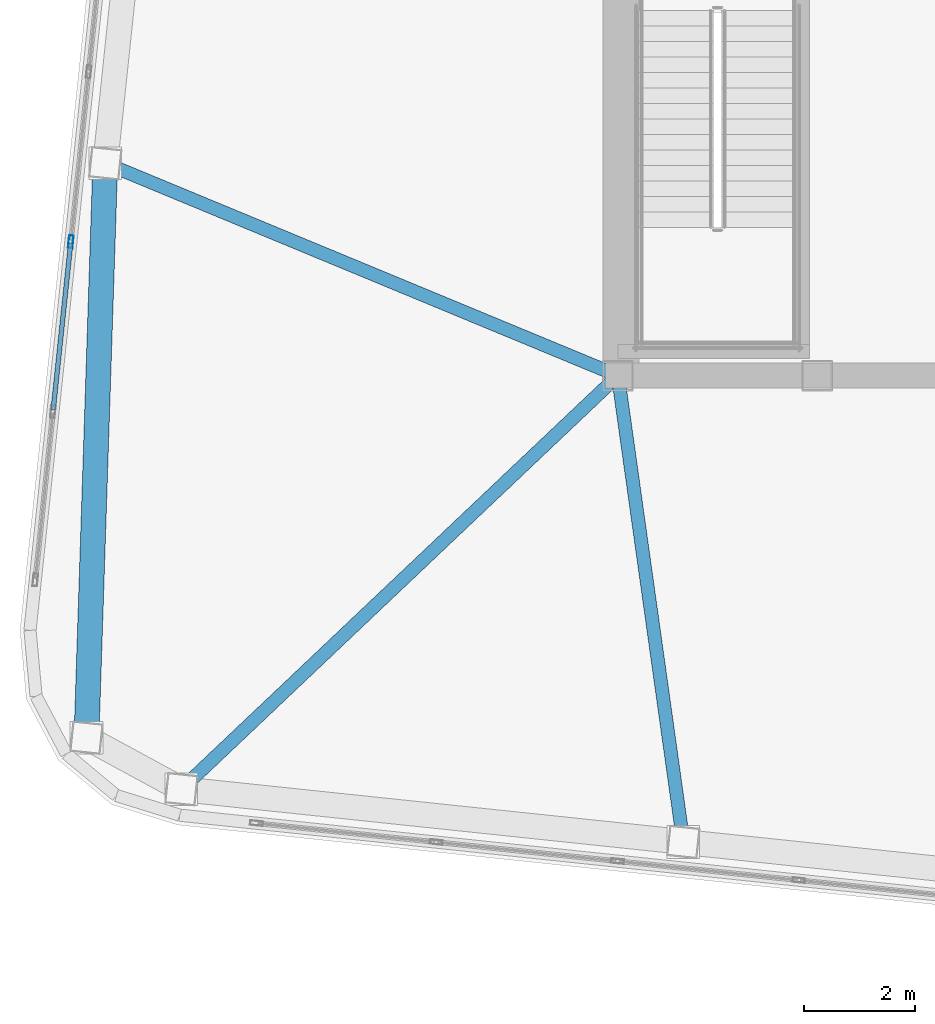
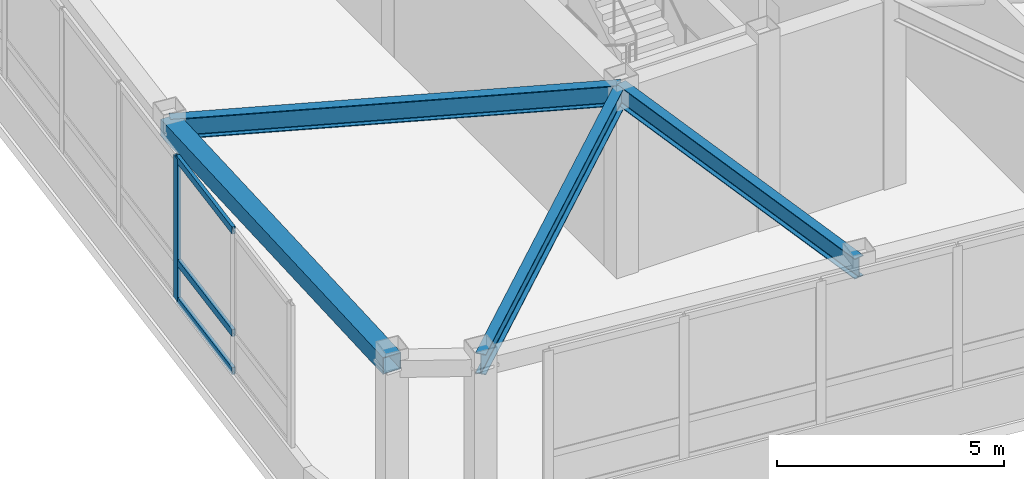
# One storey, part 3 of 23: 4 beams, 4 members, 1 element without a shape of its own.
"""IFC4 building model written with IfcOpenShell, lengths in metres."""

from ifc_helpers import new_model, si_unit, direction, frame, origin, origin_2d, place, context, subcontext, project, spatial, hollow_rectangle, i_section, extrude, material, layer, layer_set, material_profile, profile_set, type_object, element, aggregate, save


model = new_model("IFC4")

# Units and contexts
model_context = context("Model", 3, precision=1e-05, world=origin(), true_north=direction((0.0, 1.0)))
body_context = subcontext(model_context, "Body", "Model", "MODEL_VIEW")
ifc_project = project(units=[si_unit("LENGTHUNIT", "METRE"), si_unit("AREAUNIT", "SQUARE_METRE"), si_unit("VOLUMEUNIT", "CUBIC_METRE"), si_unit("PLANEANGLEUNIT", "RADIAN"), si_unit("MASSUNIT", "GRAM", prefix="KILO")], contexts=[model_context])

# Site, building, storey
site_placement = place(None, origin())
site = spatial("IfcSite", under=ifc_project, at=site_placement, CompositionType="ELEMENT")
building_placement = place(site_placement, origin())
building = spatial("IfcBuilding", under=site, at=building_placement, Name="Voryun Gate Residences", CompositionType="ELEMENT")
storey_placement = place(building_placement, frame((0.0, 0.0, 321.300048828125)))
storey = spatial("IfcBuildingStorey", under=building, at=storey_placement, Name="L79", CompositionType="ELEMENT", Elevation=321.300048828125)

# Beams
ifc_material_1 = material(Name="Steel SM355", Category="steel")
ifc_material_profile_1 = material_profile(ifc_material_1, hollow_rectangle(XDim=0.449951171875, YDim=0.449951171875, WallThickness=0.01806640625, at=origin_2d()), Name="BOX-450x450x18")
ifc_profile_set_1 = profile_set([ifc_material_profile_1], Name="Steel SM355")
beam_type_1 = type_object("IfcBeamType", Name="BM_CROWN_RING", PredefinedType="BEAM", material=ifc_profile_set_1)
beam_1_placement = place(storey_placement, frame((-28.464111328125, -3.56201171875, 4.800048828125), z_axis=(-0.032704208853, -0.999465074289, 0.0), x_axis=(0.999465074289, -0.032704208853, 0.0)))
element("IfcBeam", 1, at=beam_1_placement, inside=storey, type_object=beam_type_1, Name="BM-L79-SPAND-19", PredefinedType="BEAM", context=body_context, shape_type="SweptSolid", body=[
    extrude(hollow_rectangle(XDim=0.449951171875, YDim=0.449951171875, WallThickness=0.01806640625, at=origin_2d()), origin(), (0.0, 0.0, 1.0), 10.384033203125),
])
ifc_material_2 = material(Name="Steel SM355", Category="steel")
ifc_material_profile_2 = material_profile(ifc_material_2, i_section(OverallWidth=0.239990234375, OverallDepth=0.550048828125, WebThickness=0.011962890625, FlangeThickness=0.02001953125, FilletRadius=0.01806640625, at=origin_2d()), Name="H-550x240x12x20")
ifc_profile_set_2 = profile_set([ifc_material_profile_2], Name="Steel SM355")
beam_type_2 = type_object("IfcBeamType", Name="BM_GIRD_550", PredefinedType="USERDEFINED", material=ifc_profile_set_2)
beam_2_placement = place(storey_placement, frame((-19.199951171875, -7.39990234375, 4.75), z_axis=(-0.726024122139, -0.687669233042, 0.0), x_axis=(0.687669233042, -0.726024122139, 0.0)))
element("IfcBeam", 2, at=beam_2_placement, inside=storey, type_object=beam_type_2, Name="BM-L79-RAD-S1", ObjectType="GIRDER", PredefinedType="USERDEFINED", context=body_context, shape_type="SweptSolid", body=[
    extrude(i_section(OverallWidth=0.239990234375, OverallDepth=0.550048828125, WebThickness=0.011962890625, FlangeThickness=0.02001953125, FilletRadius=0.01806640625, at=origin_2d()), origin(), (0.0, 0.0, 1.0), 10.865478515625),
])
beam_3_placement = place(storey_placement, frame((-19.199951171875, -7.39990234375, 4.75), z_axis=(0.138865687617, -0.990311224213, 0.0), x_axis=(0.990311224213, 0.138865687617, 0.0)))
element("IfcBeam", 3, at=beam_3_placement, inside=storey, type_object=beam_type_2, Name="BM-L79-RAD-S2", ObjectType="GIRDER", PredefinedType="USERDEFINED", context=body_context, shape_type="SweptSolid", body=[
    extrude(i_section(OverallWidth=0.239990234375, OverallDepth=0.550048828125, WebThickness=0.011962890625, FlangeThickness=0.02001953125, FilletRadius=0.01806640625, at=origin_2d()), origin(), (0.0, 0.0, 1.0), 8.507568359375),
])
beam_4_placement = place(storey_placement, frame((-19.199951171875, -7.39990234375, 4.75), z_axis=(-0.923860145027, 0.382730234539, 0.0), x_axis=(-0.382730234539, -0.923860145027, 0.0)))
element("IfcBeam", 4, at=beam_4_placement, inside=storey, type_object=beam_type_2, Name="BM-L79-RAD-W2", ObjectType="GIRDER", PredefinedType="USERDEFINED", context=body_context, shape_type="SweptSolid", body=[
    extrude(i_section(OverallWidth=0.239990234375, OverallDepth=0.550048828125, WebThickness=0.011962890625, FlangeThickness=0.02001953125, FilletRadius=0.01806640625, at=origin_2d()), origin(), (0.0, 0.0, 1.0), 10.027587890625),
])

# Curtain wall, members
ifc_material_3 = material(Name="Anodised aluminium", Category="aluminium")
ifc_layer = layer(ifc_material_3, 0.22998046875, Name="CW_SYS_LANTERN_DARK_GLASS")
ifc_layer_set = layer_set([ifc_layer], Name="Anodised aluminium")
curtain_wall_type = type_object("IfcCurtainWallType", Name="CW_SYS_LANTERN_DARK_GLASS", PredefinedType="NOTDEFINED", material=ifc_layer_set)
curtain_wall_placement = place(storey_placement, origin())
curtain_wall = element("IfcCurtainWall", 5, at=curtain_wall_placement, inside=storey, type_object=curtain_wall_type, Name="Curtain wall CW6-L79-06", PredefinedType="NOTDEFINED")
ifc_material_4 = material(Name="Anodised aluminium", Category="aluminium")
ifc_material_profile_3 = material_profile(ifc_material_4, hollow_rectangle(XDim=0.0849609375, YDim=0.22998046875, WallThickness=0.006103515625, at=origin_2d()), Name="ALU-MULL-230x85x6")
ifc_profile_set_3 = profile_set([ifc_material_profile_3], Name="Anodised aluminium")
member_type_1 = type_object("IfcMemberType", Name="CW_MULL_LANT", PredefinedType="MULLION", material=ifc_profile_set_3)
member_1_placement = place(storey_placement, frame((-29.08544921875, -4.978515625, 1.18994140625), z_axis=(0.0, 0.0, 1.0), x_axis=(-0.994521943608, 0.104528004296, 0.0)))
member_1 = element("IfcMember", 6, at=member_1_placement, type_object=member_type_1, Name="CW6 mullion 3", PredefinedType="MULLION", context=body_context, shape_type="SweptSolid", body=[
    extrude(hollow_rectangle(XDim=0.0849609375, YDim=0.22998046875, WallThickness=0.006103515625, at=origin_2d()), origin(), (0.0, 0.0, 1.0), 3.8349609375),
])
ifc_material_5 = material(Name="Anodised aluminium", Category="aluminium")
ifc_material_profile_4 = material_profile(ifc_material_5, hollow_rectangle(XDim=0.0849609375, YDim=0.18994140625, WallThickness=0.006103515625, at=origin_2d()), Name="ALU-TRAN-190x85x6")
ifc_profile_set_4 = profile_set([ifc_material_profile_4], Name="Anodised aluminium")
member_type_2 = type_object("IfcMemberType", Name="CW_TRAN_LANT", PredefinedType="USERDEFINED", material=ifc_profile_set_4)
member_2_placement = place(storey_placement, frame((-29.405029296875, -8.01953125, 1.219970703125), z_axis=(0.104500100479, 0.994524876009, 0.0), x_axis=(-0.994524876009, 0.104500100479, 0.0)))
member_2 = element("IfcMember", 7, at=member_2_placement, type_object=member_type_2, Name="CW6 transom 2.1", ObjectType="TRANSOM", PredefinedType="USERDEFINED", context=body_context, shape_type="SweptSolid", body=[
    extrude(hollow_rectangle(XDim=0.0849609375, YDim=0.18994140625, WallThickness=0.006103515625, at=origin_2d()), origin(), (0.0, 0.0, 1.0), 3.02783203125),
])
member_3_placement = place(storey_placement, frame((-29.405029296875, -8.01953125, 2.239990234375), z_axis=(0.104500100479, 0.994524876009, 0.0), x_axis=(-0.994524876009, 0.104500100479, 0.0)))
member_3 = element("IfcMember", 8, at=member_3_placement, type_object=member_type_2, Name="CW6 transom 2.2", ObjectType="TRANSOM", PredefinedType="USERDEFINED", context=body_context, shape_type="SweptSolid", body=[
    extrude(hollow_rectangle(XDim=0.0849609375, YDim=0.18994140625, WallThickness=0.006103515625, at=origin_2d()), origin(), (0.0, 0.0, 1.0), 3.02783203125),
])
member_4_placement = place(storey_placement, frame((-29.405029296875, -8.01953125, 4.994873046875), z_axis=(0.104500100479, 0.994524876009, 0.0), x_axis=(-0.994524876009, 0.104500100479, 0.0)))
member_4 = element("IfcMember", 9, at=member_4_placement, type_object=member_type_2, Name="CW6 transom 2.3", ObjectType="TRANSOM", PredefinedType="USERDEFINED", context=body_context, shape_type="SweptSolid", body=[
    extrude(hollow_rectangle(XDim=0.0849609375, YDim=0.18994140625, WallThickness=0.006103515625, at=origin_2d()), origin(), (0.0, 0.0, 1.0), 3.02783203125),
])
aggregate(curtain_wall, [member_1, member_2, member_3, member_4])

save(model, "model.ifc")
